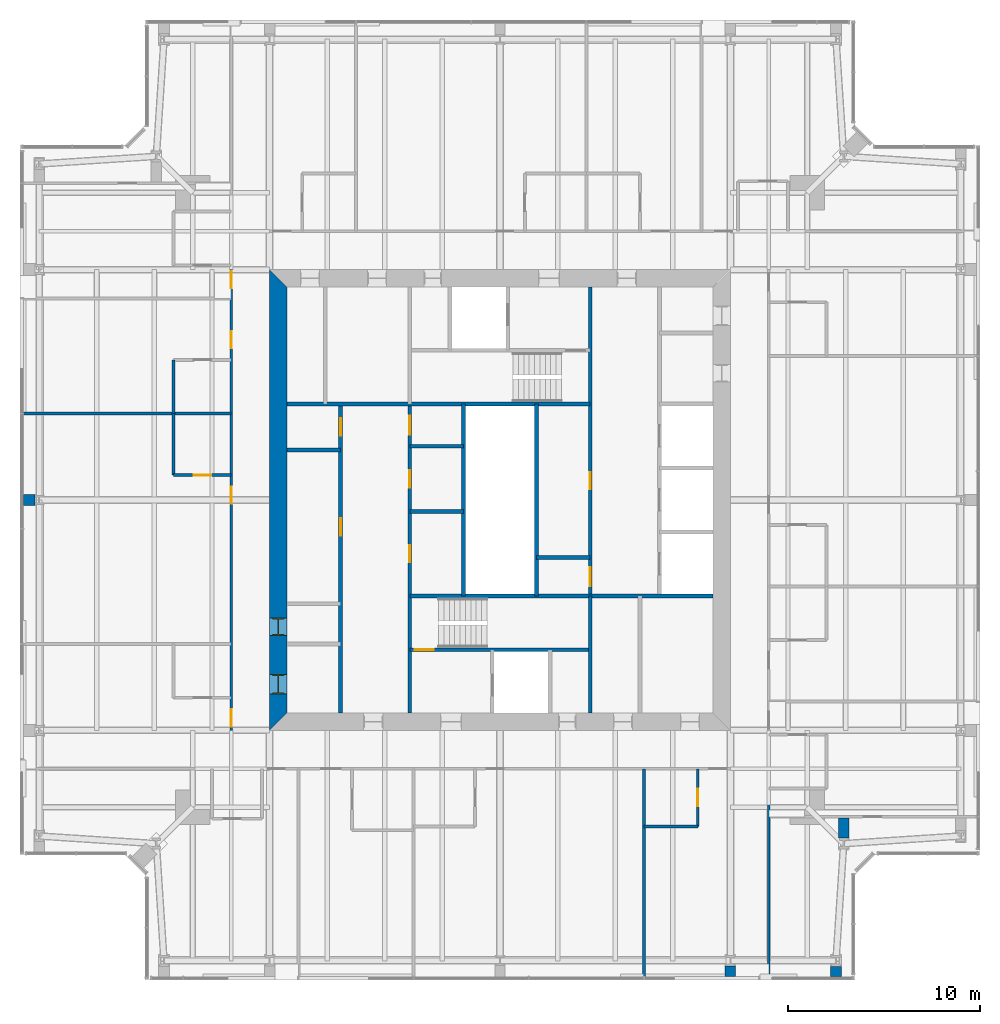
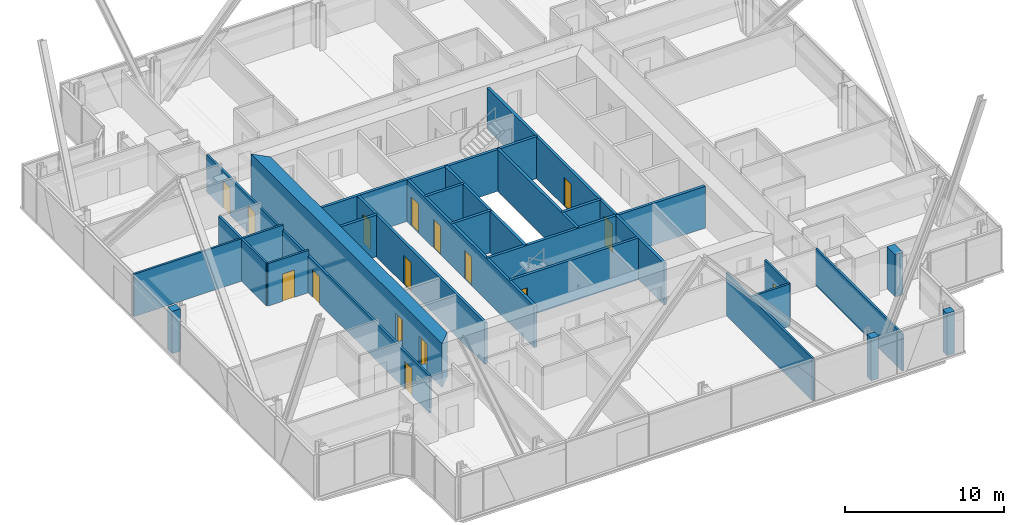
# One storey, part 12 of 18: 27 walls, 16 doors, 16 openings.
"""IFC4 building model written with IfcOpenShell, lengths in metres."""

import ifcopenshell
import ifcopenshell.guid

model = None  # the IFC model being written
_history = None  # IfcOwnerHistory: only IFC2X3 demands one
_inside = {}  # id of a spatial element -> (the spatial element, [elements in it])
_under = {}  # id of a project, library or spatial element -> (it, [spatial elements below it])
_declared = {}  # id of a project -> (the project, [libraries it declares])
_typed = {}  # id of a type object -> (the type object, [elements of that type])
_made_of = {}  # id of a material, layer set ... -> (it, [elements and type objects made of it])


def new_model(schema):
    """Start an empty IFC model of exactly this schema.

    Asked for "IFC4X3", IfcOpenShell would pick the latest addendum, in which some entities
    have other attributes; the version numbers below select the first issue.
    IFC2X3 requires an IfcOwnerHistory on every rooted entity: one is made here for all.
    """
    global model, _history
    if schema == "IFC4X3":
        model = ifcopenshell.file(schema_version=(4, 3, 0, 0))
    else:
        model = ifcopenshell.file(schema=schema)
    _inside.clear()
    _under.clear()
    _declared.clear()
    _typed.clear()
    _made_of.clear()
    _history = None
    if model.schema == "IFC2X3":
        org = make("IfcOrganization", Name="unknown")
        user = make(
            "IfcPersonAndOrganization",
            ThePerson=make("IfcPerson", FamilyName="unknown"),
            TheOrganization=org,
        )
        app = make(
            "IfcApplication",
            ApplicationDeveloper=org,
            Version="unknown",
            ApplicationFullName="unknown",
            ApplicationIdentifier="unknown",
        )
        _history = make(
            "IfcOwnerHistory",
            OwningUser=user,
            OwningApplication=app,
            ChangeAction="ADDED",
            CreationDate=0,
        )
    return model


def make(cls, **values):
    """One entity of the class cls with the attributes given. An attribute that is None is left unset."""
    return model.create_entity(
        cls, **{name: value for name, value in values.items() if value is not None}
    )


def rooted(cls, **values):
    """An entity with a GlobalId (a new one), such as an element, a storey or a relation."""
    return make(cls, GlobalId=ifcopenshell.guid.new(), OwnerHistory=_history, **values)


def si_unit(unit_type, name, prefix=None):
    """IfcSIUnit, for example si_unit("LENGTHUNIT", "METRE", prefix="MILLI")."""
    return make("IfcSIUnit", UnitType=unit_type, Prefix=prefix, Name=name)


def assignment(units):
    """IfcUnitAssignment: the units of a project."""
    return None if units is None else make("IfcUnitAssignment", Units=units)


def point(xyz):
    """IfcCartesianPoint."""
    return None if xyz is None else make("IfcCartesianPoint", Coordinates=xyz)


def direction(xyz):
    """IfcDirection."""
    return None if xyz is None else make("IfcDirection", DirectionRatios=xyz)


def frame(location, z_axis=None, x_axis=None):
    """IfcAxis2Placement3D, a coordinate frame: its origin and axes. An axis left out is left unset."""
    return make(
        "IfcAxis2Placement3D",
        Location=point(location),
        Axis=direction(z_axis),
        RefDirection=direction(x_axis),
    )


def frame_2d(location, x_axis=None):
    """IfcAxis2Placement2D, a coordinate frame in the plane: its origin and x axis."""
    return make(
        "IfcAxis2Placement2D", Location=point(location), RefDirection=direction(x_axis)
    )


def origin():
    """The frame at (0, 0, 0) with its axes left unset."""
    return frame((0.0, 0.0, 0.0))


def place(relative_to, where):
    """IfcLocalPlacement: puts the frame where relative to a parent placement (None: the world)."""
    return make(
        "IfcLocalPlacement", PlacementRelTo=relative_to, RelativePlacement=where
    )


def context(
    kind, dimensions, precision=None, world=None, true_north=None, identifier=None
):
    """IfcGeometricRepresentationContext, for example the 3D "Model" context."""
    return make(
        "IfcGeometricRepresentationContext",
        ContextIdentifier=identifier,
        ContextType=kind,
        CoordinateSpaceDimension=dimensions,
        Precision=precision,
        WorldCoordinateSystem=world,
        TrueNorth=true_north,
    )


def subcontext(parent, identifier, kind, view, scale=None):
    """IfcGeometricRepresentationSubContext, for example "Body" below "Model"."""
    return make(
        "IfcGeometricRepresentationSubContext",
        ContextIdentifier=identifier,
        ContextType=kind,
        ParentContext=parent,
        TargetScale=scale,
        TargetView=view,
    )


def project(units=None, contexts=None):
    """IfcProject with its units and contexts."""
    return rooted(
        "IfcProject",
        Name="project",
        RepresentationContexts=contexts,
        UnitsInContext=assignment(units),
    )


def spatial(cls, under=None, at=None, **own):
    """A site, building, storey or space (cls), placed at a placement, below another one or the project."""
    s = rooted(cls, ObjectPlacement=at, **own)
    if under is not None:
        _under.setdefault(under.id(), (under, []))[1].append(s)
    return s


def polyline(points):
    """IfcPolyline through the points."""
    return make("IfcPolyline", Points=[point(p) for p in points])


def profile(cls, at=None, kind="AREA", **sizes):
    """A parametric profile (cls). Its sizes go by their IFC names, for example OverallWidth=200.0."""
    return make(cls, ProfileType=kind, Position=at, **sizes)


def rectangle(**sizes):
    """IfcRectangleProfileDef."""
    return profile("IfcRectangleProfileDef", **sizes)


def outline(outer, holes=None, kind="AREA"):
    """IfcArbitraryClosedProfileDef: a profile drawn as a closed curve; with holes, ...WithVoids."""
    if holes is None:
        return make("IfcArbitraryClosedProfileDef", ProfileType=kind, OuterCurve=outer)
    return make(
        "IfcArbitraryProfileDefWithVoids",
        ProfileType=kind,
        OuterCurve=outer,
        InnerCurves=holes,
    )


def extrude(swept, where, along, depth):
    """IfcExtrudedAreaSolid: the profile swept, set in the frame where, extruded along a direction by depth."""
    return make(
        "IfcExtrudedAreaSolid",
        SweptArea=swept,
        Position=where,
        ExtrudedDirection=direction(along),
        Depth=depth,
    )


def shape(context_of_items, identifier, shape_type, items):
    """IfcShapeRepresentation: the items that make up one representation, for example the "Body"."""
    return make(
        "IfcShapeRepresentation",
        ContextOfItems=context_of_items,
        RepresentationIdentifier=identifier,
        RepresentationType=shape_type,
        Items=items,
    )


def material(Name=None, Category=None):
    """IfcMaterial."""
    return make("IfcMaterial", Name=Name, Category=Category)


def layer(
    of_material, thickness, ventilated=None, Name=None, Category=None, Priority=None
):
    """IfcMaterialLayer: one layer of a wall or slab, of a material (None: an air gap)."""
    return make(
        "IfcMaterialLayer",
        Material=of_material,
        LayerThickness=thickness,
        IsVentilated=ventilated,
        Name=Name,
        Category=Category,
        Priority=Priority,
    )


def layer_set(layers, Name=None):
    """IfcMaterialLayerSet."""
    return make("IfcMaterialLayerSet", MaterialLayers=layers, LayerSetName=Name)


def made_of(thing, what):
    """Note that an element or type object is made of a material, layer set ...; save() writes the relation."""
    if what is not None:
        _made_of.setdefault(what.id(), (what, []))[1].append(thing)
    return thing


def type_object(cls, material=None, **own):
    """A type object (cls), such as IfcWallType, which elements share."""
    return made_of(rooted(cls, **own), material)


def element(
    cls,
    number,
    at=None,
    inside=None,
    cuts=None,
    type_object=None,
    material=None,
    context=None,
    identifier="Body",
    shape_type=None,
    held_by="IfcProductDefinitionShape",
    body=None,
    shapes=None,
    **own,
):
    """One element of the class cls, such as IfcWall. Its Tag is "e" and its number.

    at: its placement. inside: the storey or other place that contains it. cuts: it is an
    opening in that element (IfcRelVoidsElement). A single representation is given by context,
    identifier, shape_type and body (its items); several are given by shapes. held_by: the class
    of the entity that holds the representations. save() writes the other relations.
    """
    e = rooted(cls, Tag="e%d" % number, ObjectPlacement=at, **own)
    if body is not None:
        shapes = [shape(context, identifier, shape_type, body)]
    if shapes is not None:
        e.Representation = make(held_by, Representations=shapes)
    if inside is not None:
        _inside.setdefault(inside.id(), (inside, []))[1].append(e)
    if cuts is not None:
        rooted(
            "IfcRelVoidsElement", RelatingBuildingElement=cuts, RelatedOpeningElement=e
        )
    if type_object is not None:
        _typed.setdefault(type_object.id(), (type_object, []))[1].append(e)
    return made_of(e, material)


def fill(opening, filler):
    """IfcRelFillsElement: the door or window that sits in an opening."""
    return rooted(
        "IfcRelFillsElement",
        RelatingOpeningElement=opening,
        RelatedBuildingElement=filler,
    )


def aggregate(whole, parts):
    """IfcRelAggregates: a whole, such as a stair, and the parts it consists of."""
    return rooted("IfcRelAggregates", RelatingObject=whole, RelatedObjects=parts)


def save(model, path):
    """Write the relations noted so far, then the file.

    IfcRelAggregates (storeys below a building ...), IfcRelContainedInSpatialStructure (elements
    in a storey), IfcRelDefinesByType, IfcRelAssociatesMaterial and IfcRelDeclares: one each for
    every whole, place, type object, material and project.
    """
    for whole, parts in _under.values():
        aggregate(whole, parts)
    for where, things in _inside.values():
        rooted(
            "IfcRelContainedInSpatialStructure",
            RelatedElements=things,
            RelatingStructure=where,
        )
    for kind, things in _typed.values():
        rooted("IfcRelDefinesByType", RelatedObjects=things, RelatingType=kind)
    for what, things in _made_of.values():
        rooted("IfcRelAssociatesMaterial", RelatedObjects=things, RelatingMaterial=what)
    for by, libraries in _declared.values():
        rooted("IfcRelDeclares", RelatingContext=by, RelatedDefinitions=libraries)
    model.write(path)


model = new_model("IFC4")

# Units and contexts
model_context = context("Model", 3, precision=1e-05, world=origin(), true_north=direction((0.0, 1.0)))
body_context = subcontext(model_context, "Body", "Model", "MODEL_VIEW")
ifc_project = project(units=[si_unit("LENGTHUNIT", "METRE"), si_unit("AREAUNIT", "SQUARE_METRE"), si_unit("VOLUMEUNIT", "CUBIC_METRE"), si_unit("PLANEANGLEUNIT", "RADIAN"), si_unit("MASSUNIT", "GRAM", prefix="KILO")], contexts=[model_context])

# Site, building, storey
site_placement = place(None, origin())
site = spatial("IfcSite", under=ifc_project, at=site_placement, CompositionType="ELEMENT")
building_placement = place(site_placement, origin())
building = spatial("IfcBuilding", under=site, at=building_placement, Name="Fenwick Lantern Interchange", CompositionType="ELEMENT")
storey_placement = place(building_placement, frame((0.0, 0.0, 269.60009765625)))
storey = spatial("IfcBuildingStorey", under=building, at=storey_placement, Name="L64", CompositionType="ELEMENT", Elevation=269.60009765625)

# Walls
ifc_material_1 = material(Name="Fire-rated gypsum board encasement on steel studs, 2 hour", Category="steel")
ifc_layer_1 = layer(ifc_material_1, 0.5419921875)
ifc_layer_set_1 = layer_set([ifc_layer_1], Name="COLUMN PIER 542")
wall_type_1 = type_object("IfcWallType", Name="COLUMN PIER 542", PredefinedType="PARTITIONING", material=ifc_layer_set_1)
wall_1_placement = place(storey_placement, frame((37.0, 0.18994140625, 0.0), z_axis=(0.0, 0.0, 1.0), x_axis=(0.0, 1.0, 0.0)))
element("IfcWall", 1, at=wall_1_placement, inside=storey, type_object=wall_type_1, Name="L64/W/PIER/CS4", PredefinedType="PARTITIONING", context=body_context, shape_type="SweptSolid", body=[
    extrude(rectangle(XDim=0.544677734375, YDim=0.5419921875, at=frame_2d((0.2724609375, 0.0))), origin(), (0.0, 0.0, 1.0), 3.25),
])
ifc_layer_2 = layer(ifc_material_1, 0.554931640625)
ifc_layer_set_2 = layer_set([ifc_layer_2], Name="COLUMN PIER 555")
wall_type_2 = type_object("IfcWallType", Name="COLUMN PIER 555", PredefinedType="PARTITIONING", material=ifc_layer_set_2)
wall_2_placement = place(storey_placement, frame((42.5, 0.18994140625, 0.0), z_axis=(0.0, 0.0, 1.0), x_axis=(0.0, 1.0, 0.0)))
element("IfcWall", 2, at=wall_2_placement, inside=storey, type_object=wall_type_2, Name="L64/W/PIER/CS5", PredefinedType="PARTITIONING", context=body_context, shape_type="SweptSolid", body=[
    extrude(rectangle(XDim=0.525634765625, YDim=0.554931640625, at=frame_2d((0.2626953125, 0.0))), origin(), (0.0, 0.0, 1.0), 3.25),
])
wall_3_placement = place(storey_placement, frame((42.89990234375, 8.425048828125, 0.0), z_axis=(0.0, 0.0, 1.0), x_axis=(0.0, -1.0, 0.0)))
element("IfcWall", 3, at=wall_3_placement, inside=storey, type_object=wall_type_2, Name="L64/W/PIER/CSR", PredefinedType="PARTITIONING", context=body_context, shape_type="SweptSolid", body=[
    extrude(rectangle(XDim=1.04052734375, YDim=0.554931640625, at=frame_2d((0.520263671875, 0.0))), origin(), (0.0, 0.0, 1.0), 3.25),
])
ifc_layer_3 = layer(ifc_material_1, 0.574951171875)
ifc_layer_set_3 = layer_set([ifc_layer_3], Name="COLUMN PIER 575")
wall_type_3 = type_object("IfcWallType", Name="COLUMN PIER 575", PredefinedType="PARTITIONING", material=ifc_layer_set_3)
wall_4_placement = place(storey_placement, frame((0.18994140625, 25.0, 0.0), z_axis=(0.0, 0.0, 1.0), x_axis=(1.0, 0.0, 0.0)))
element("IfcWall", 4, at=wall_4_placement, inside=storey, type_object=wall_type_3, Name="L64/W/PIER/CW3", PredefinedType="PARTITIONING", context=body_context, shape_type="SweptSolid", body=[
    extrude(rectangle(XDim=0.597900390625, YDim=0.574951171875, at=frame_2d((0.298828125, 0.0))), origin(), (0.0, 0.0, 1.0), 3.25),
])

# Wall, openings, doors
ifc_material_2 = material(Name="Concrete masonry ASTM C90 Grade N", Category="masonry")
ifc_layer_4 = layer(ifc_material_2, 0.199951171875)
ifc_layer_set_4 = layer_set([ifc_layer_4], Name="Concrete masonry ASTM C90 Grade N")
wall_type_4 = type_object("IfcWallType", Name="CORE PARTITION 200", PredefinedType="PARTITIONING", material=ifc_layer_set_4)
wall_5_placement = place(storey_placement, frame((16.699951171875, 13.89990234375, 0.0), z_axis=(0.0, 0.0, 1.0), x_axis=(0.0, 1.0, 0.0)))
wall_5 = element("IfcWall", 5, at=wall_5_placement, inside=storey, type_object=wall_type_4, Name="L64/W/CORES/a", PredefinedType="PARTITIONING", context=body_context, shape_type="SweptSolid", body=[
    extrude(rectangle(XDim=16.10009765625, YDim=0.199951171875, at=frame_2d((8.050048828125, 0.0))), origin(), (0.0, 0.0, 1.0), 3.199951171875),
])
opening_1_placement = place(wall_5_placement, frame((9.25, 0.0, 0.0)))
opening_1 = element("IfcOpeningElement", 6, at=opening_1_placement, cuts=wall_5, Name="Opening L64-D009", PredefinedType="OPENING", context=body_context, shape_type="SweptSolid", body=[
    extrude(rectangle(XDim=0.89990234375, YDim=2.199951171875, at=frame_2d((0.449951171875, 1.10009765625))), frame((0.0, 0.10986328125, 0.0), z_axis=(0.0, -1.0, 0.0), x_axis=(1.0, 0.0, 0.0)), (0.0, 0.0, 1.0), 0.219970703125),
])
opening_2_placement = place(wall_5_placement, frame((14.449951171875, 0.0, 0.0)))
opening_2 = element("IfcOpeningElement", 7, at=opening_2_placement, cuts=wall_5, Name="Opening L64-D010", PredefinedType="OPENING", context=body_context, shape_type="SweptSolid", body=[
    extrude(rectangle(XDim=0.89990234375, YDim=2.199951171875, at=frame_2d((0.449951171875, 1.10009765625))), frame((0.0, 0.10986328125, 0.0), z_axis=(0.0, -1.0, 0.0), x_axis=(1.0, 0.0, 0.0)), (0.0, 0.0, 1.0), 0.219970703125),
])
ifc_material_3 = material(Name="Steel door and frame", Category="steel")
door_type_1 = type_object("IfcDoorType", Name="SERVICE DOOR 900 X 2200", OperationType="SINGLE_SWING_LEFT", PredefinedType="DOOR", material=ifc_material_3)
door_1_placement = place(opening_1_placement, origin())
door_1 = element("IfcDoor", 8, at=door_1_placement, inside=storey, type_object=door_type_1, Name="Service door", OperationType="SINGLE_SWING_LEFT", OverallHeight=2.199951171875, OverallWidth=0.89990234375, PredefinedType="DOOR", context=body_context, shape_type="SweptSolid", body=[
    extrude(rectangle(XDim=0.89990234375, YDim=2.199951171875, at=frame_2d((0.449951171875, 1.10009765625))), frame((0.0, 0.02490234375, 0.0), z_axis=(0.0, -1.0, 0.0), x_axis=(1.0, 0.0, 0.0)), (0.0, 0.0, 1.0), 0.050048828125),
])
fill(opening_1, door_1)
door_2_placement = place(opening_2_placement, origin())
door_2 = element("IfcDoor", 9, at=door_2_placement, inside=storey, type_object=door_type_1, Name="Service door", OperationType="SINGLE_SWING_LEFT", OverallHeight=2.199951171875, OverallWidth=0.89990234375, PredefinedType="DOOR", context=body_context, shape_type="SweptSolid", body=[
    extrude(rectangle(XDim=0.89990234375, YDim=2.199951171875, at=frame_2d((0.449951171875, 1.10009765625))), frame((0.0, 0.02490234375, 0.0), z_axis=(0.0, -1.0, 0.0), x_axis=(1.0, 0.0, 0.0)), (0.0, 0.0, 1.0), 0.050048828125),
])
fill(opening_2, door_2)

# Walls
wall_6_placement = place(storey_placement, frame((23.10009765625, 20.0, 0.0), z_axis=(0.0, 0.0, 1.0), x_axis=(0.0, 1.0, 0.0)))
element("IfcWall", 10, at=wall_6_placement, inside=storey, type_object=wall_type_4, Name="L64/W/CORES/e3", PredefinedType="PARTITIONING", context=body_context, shape_type="SweptSolid", body=[
    extrude(rectangle(XDim=10.0, YDim=0.199951171875, at=frame_2d((5.0, 0.0))), origin(), (0.0, 0.0, 1.0), 3.199951171875),
])
for number, where, z_axis, x_axis, name in (
    (11, (13.89990234375, 27.60009765625, 0.0), (0.0, 0.0, 1.0), (1.0, 0.0, 0.0), "L64/W/CORES/p3"),
    (12, (20.300048828125, 24.39990234375, 0.0), (0.0, 0.0, 1.0), (1.0, 0.0, 0.0), "L64/W/CORES/q1"),
    (13, (20.300048828125, 27.800048828125, 0.0), (0.0, 0.0, 1.0), (1.0, 0.0, 0.0), "L64/W/CORES/q2"),
):
    element("IfcWall", number, at=place(storey_placement, frame(where, z_axis=z_axis, x_axis=x_axis)), inside=storey, type_object=wall_type_4, Name=name, PredefinedType="PARTITIONING", context=body_context, shape_type="SweptSolid", body=[
        extrude(rectangle(XDim=2.800048828125, YDim=0.199951171875, at=frame_2d((1.39990234375, 0.0))), origin(), (0.0, 0.0, 1.0), 3.199951171875),
    ])
wall_7_placement = place(storey_placement, frame((26.89990234375, 30.0, 0.0), z_axis=(0.0, 0.0, 1.0), x_axis=(0.0, -1.0, 0.0)))
element("IfcWall", 14, at=wall_7_placement, inside=storey, type_object=wall_type_4, Name="L64/W/COREN/e3", PredefinedType="PARTITIONING", context=body_context, shape_type="SweptSolid", body=[
    extrude(rectangle(XDim=10.0, YDim=0.199951171875, at=frame_2d((5.0, 0.0))), origin(), (0.0, 0.0, 1.0), 3.199951171875),
])
wall_8_placement = place(storey_placement, frame((29.699951171875, 22.0, 0.0), z_axis=(0.0, 0.0, 1.0), x_axis=(-1.0, 0.0, 0.0)))
element("IfcWall", 15, at=wall_8_placement, inside=storey, type_object=wall_type_4, Name="L64/W/COREN/q1", PredefinedType="PARTITIONING", context=body_context, shape_type="SweptSolid", body=[
    extrude(rectangle(XDim=2.800048828125, YDim=0.199951171875, at=frame_2d((1.39990234375, 0.0))), origin(), (0.0, 0.0, 1.0), 3.199951171875),
])

# Wall, openings, doors
ifc_material_4 = material(Name="Concrete f'c 70 MPa", Category="concrete")
ifc_layer_5 = layer(ifc_material_4, 0.89990234375)
ifc_layer_set_5 = layer_set([ifc_layer_5], Name="CORE WALL 900")
wall_type_5 = type_object("IfcWallType", Name="CORE WALL 900", PredefinedType="SHEAR", material=ifc_layer_set_5)
wall_9_placement = place(storey_placement, frame((13.449951171875, 36.10009765625, 0.0), z_axis=(0.0, 0.0, 1.0), x_axis=(0.0, -1.0, 0.0)))
wall_9 = element("IfcWall", 16, at=wall_9_placement, inside=storey, type_object=wall_type_5, Name="L64/CORE/W", PredefinedType="SHEAR", context=body_context, shape_type="SweptSolid", body=[
    extrude(outline(polyline([(-0.89990234375, -0.449951171875), (23.10009765625, -0.449951171875), (22.199951171875, 0.449951171875), (0.0, 0.449951171875), (-0.89990234375, -0.449951171875)])), origin(), (0.0, 0.0, 1.0), 3.39990234375),
])
opening_3_placement = place(wall_9_placement, frame((20.199951171875, 0.0, 0.0)))
opening_3 = element("IfcOpeningElement", 17, at=opening_3_placement, cuts=wall_9, Name="Opening L64-D007", PredefinedType="OPENING", context=body_context, shape_type="SweptSolid", body=[
    extrude(rectangle(XDim=1.0, YDim=2.199951171875, at=frame_2d((0.5, 1.10009765625))), frame((0.0, 0.4599609375, 0.0), z_axis=(0.0, -1.0, 0.0), x_axis=(1.0, 0.0, 0.0)), (0.0, 0.0, 1.0), 0.919921875),
])
opening_4_placement = place(wall_9_placement, frame((17.25, 0.0, 0.0)))
opening_4 = element("IfcOpeningElement", 18, at=opening_4_placement, cuts=wall_9, Name="Opening L64-D008", PredefinedType="OPENING", context=body_context, shape_type="SweptSolid", body=[
    extrude(rectangle(XDim=0.89990234375, YDim=2.199951171875, at=frame_2d((0.449951171875, 1.10009765625))), frame((0.0, 0.4599609375, 0.0), z_axis=(0.0, -1.0, 0.0), x_axis=(1.0, 0.0, 0.0)), (0.0, 0.0, 1.0), 0.919921875),
])
door_3_placement = place(opening_4_placement, origin())
door_3 = element("IfcDoor", 19, at=door_3_placement, inside=storey, type_object=door_type_1, Name="Service door", OperationType="SINGLE_SWING_RIGHT", OverallHeight=2.199951171875, OverallWidth=0.89990234375, PredefinedType="DOOR", context=body_context, shape_type="SweptSolid", body=[
    extrude(rectangle(XDim=0.89990234375, YDim=2.199951171875, at=frame_2d((0.449951171875, 1.10009765625))), frame((0.0, 0.02490234375, 0.0), z_axis=(0.0, -1.0, 0.0), x_axis=(1.0, 0.0, 0.0)), (0.0, 0.0, 1.0), 0.050048828125),
    extrude(outline(polyline([(0.0, 0.0), (0.0400390625, 0.0), (0.0400390625, 2.159912109375), (0.85986328125, 2.159912109375), (0.85986328125, 0.0), (0.89990234375, 0.0), (0.89990234375, 2.199951171875), (0.0, 2.199951171875), (0.0, 0.0)])), frame((0.0, 0.300048828125, 0.0), z_axis=(0.0, -1.0, 0.0), x_axis=(1.0, 0.0, 0.0)), (0.0, 0.0, 1.0), 0.60009765625),
])
fill(opening_4, door_3)
ifc_material_5 = material(Name="Hardwood door and steel frame", Category="steel")
door_type_2 = type_object("IfcDoorType", Name="WC DOOR 1000 X 2200", OperationType="SINGLE_SWING_LEFT", PredefinedType="DOOR", material=ifc_material_5)
door_4_placement = place(opening_3_placement, origin())
door_4 = element("IfcDoor", 20, at=door_4_placement, inside=storey, type_object=door_type_2, Name="Wc door", OperationType="SINGLE_SWING_RIGHT", OverallHeight=2.199951171875, OverallWidth=1.0, PredefinedType="DOOR", context=body_context, shape_type="SweptSolid", body=[
    extrude(rectangle(XDim=1.0, YDim=2.199951171875, at=frame_2d((0.5, 1.10009765625))), frame((0.0, 0.02490234375, 0.0), z_axis=(0.0, -1.0, 0.0), x_axis=(1.0, 0.0, 0.0)), (0.0, 0.0, 1.0), 0.050048828125),
    extrude(outline(polyline([(0.0, 0.0), (0.0400390625, 0.0), (0.0400390625, 2.159912109375), (0.9599609375, 2.159912109375), (0.9599609375, 0.0), (1.0, 0.0), (1.0, 2.199951171875), (0.0, 2.199951171875), (0.0, 0.0)])), frame((0.0, 0.300048828125, 0.0), z_axis=(0.0, -1.0, 0.0), x_axis=(1.0, 0.0, 0.0)), (0.0, 0.0, 1.0), 0.60009765625),
])
fill(opening_3, door_4)

ifc_material_6 = material(Name="Gypsum board on steel studs, 1 hour", Category="steel")
ifc_layer_6 = layer(ifc_material_6, 0.14990234375)
ifc_layer_set_6 = layer_set([ifc_layer_6], Name="CORRIDOR WALL 150")
wall_type_6 = type_object("IfcWallType", Name="CORRIDOR WALL 150", PredefinedType="PARTITIONING", material=ifc_layer_set_6)
wall_10_placement = place(storey_placement, frame((11.0, 39.0, 0.0), z_axis=(0.0, 0.0, 1.0), x_axis=(0.0, -1.0, 0.0)))
wall_10 = element("IfcWall", 21, at=wall_10_placement, inside=storey, type_object=wall_type_6, Name="L64/W/HOTEL/W/CW", PredefinedType="PARTITIONING", context=body_context, shape_type="SweptSolid", body=[
    extrude(rectangle(XDim=28.0, YDim=0.14990234375, at=frame_2d((14.0, 0.0))), origin(), (0.0, 0.0, 1.0), 2.843505859375),
])
opening_5_placement = place(wall_10_placement, frame((2.074951171875, 0.0, 0.0)))
opening_5 = element("IfcOpeningElement", 22, at=opening_5_placement, cuts=wall_10, Name="Opening L64-D051", PredefinedType="OPENING", context=body_context, shape_type="SweptSolid", body=[
    extrude(rectangle(XDim=0.89990234375, YDim=2.10009765625, at=frame_2d((0.449951171875, 1.050048828125))), frame((0.0, 0.0849609375, 0.0), z_axis=(0.0, -1.0, 0.0), x_axis=(1.0, 0.0, 0.0)), (0.0, 0.0, 1.0), 0.169921875),
])
opening_6_placement = place(wall_10_placement, frame((5.199951171875, 0.0, 0.0)))
opening_6 = element("IfcOpeningElement", 23, at=opening_6_placement, cuts=wall_10, Name="Opening L64-D053", PredefinedType="OPENING", context=body_context, shape_type="SweptSolid", body=[
    extrude(rectangle(XDim=0.89990234375, YDim=2.10009765625, at=frame_2d((0.449951171875, 1.050048828125))), frame((0.0, 0.0849609375, 0.0), z_axis=(0.0, -1.0, 0.0), x_axis=(1.0, 0.0, 0.0)), (0.0, 0.0, 1.0), 0.169921875),
])
opening_7_placement = place(wall_10_placement, frame((13.300048828125, 0.0, 0.0)))
opening_7 = element("IfcOpeningElement", 24, at=opening_7_placement, cuts=wall_10, Name="Opening L64-D055", PredefinedType="OPENING", context=body_context, shape_type="SweptSolid", body=[
    extrude(rectangle(XDim=0.89990234375, YDim=2.10009765625, at=frame_2d((0.449951171875, 1.050048828125))), frame((0.0, 0.0849609375, 0.0), z_axis=(0.0, -1.0, 0.0), x_axis=(1.0, 0.0, 0.0)), (0.0, 0.0, 1.0), 0.169921875),
])
opening_8_placement = place(wall_10_placement, frame((24.89990234375, 0.0, 0.0)))
opening_8 = element("IfcOpeningElement", 25, at=opening_8_placement, cuts=wall_10, Name="Opening L64-D057", PredefinedType="OPENING", context=body_context, shape_type="SweptSolid", body=[
    extrude(rectangle(XDim=0.89990234375, YDim=2.10009765625, at=frame_2d((0.449951171875, 1.050048828125))), frame((0.0, 0.0849609375, 0.0), z_axis=(0.0, -1.0, 0.0), x_axis=(1.0, 0.0, 0.0)), (0.0, 0.0, 1.0), 0.169921875),
])
door_type_3 = type_object("IfcDoorType", Name="GUEST ROOM DOOR 900 X 2100", OperationType="SINGLE_SWING_LEFT", PredefinedType="DOOR", material=ifc_material_3)
door_5_placement = place(opening_5_placement, frame((0.89990234375, 0.0, 0.0), z_axis=(0.0, 0.0, 1.0), x_axis=(-1.0, 0.0, 0.0)))
door_5 = element("IfcDoor", 26, at=door_5_placement, inside=storey, type_object=door_type_3, Name="Guest room door", OperationType="SINGLE_SWING_RIGHT", OverallHeight=2.10009765625, OverallWidth=0.89990234375, PredefinedType="DOOR", context=body_context, shape_type="SweptSolid", body=[
    extrude(rectangle(XDim=0.89990234375, YDim=2.10009765625, at=frame_2d((0.449951171875, 1.050048828125))), frame((0.0, 0.02490234375, 0.0), z_axis=(0.0, -1.0, 0.0), x_axis=(1.0, 0.0, 0.0)), (0.0, 0.0, 1.0), 0.050048828125),
])
fill(opening_5, door_5)
door_6_placement = place(opening_6_placement, frame((0.89990234375, 0.0, 0.0), z_axis=(0.0, 0.0, 1.0), x_axis=(-1.0, 0.0, 0.0)))
door_6 = element("IfcDoor", 27, at=door_6_placement, inside=storey, type_object=door_type_3, Name="Guest room door", OperationType="SINGLE_SWING_LEFT", OverallHeight=2.10009765625, OverallWidth=0.89990234375, PredefinedType="DOOR", context=body_context, shape_type="SweptSolid", body=[
    extrude(rectangle(XDim=0.89990234375, YDim=2.10009765625, at=frame_2d((0.449951171875, 1.050048828125))), frame((0.0, 0.02490234375, 0.0), z_axis=(0.0, -1.0, 0.0), x_axis=(1.0, 0.0, 0.0)), (0.0, 0.0, 1.0), 0.050048828125),
])
fill(opening_6, door_6)
door_7_placement = place(opening_7_placement, frame((0.89990234375, 0.0, 0.0), z_axis=(0.0, 0.0, 1.0), x_axis=(-1.0, 0.0, 0.0)))
door_7 = element("IfcDoor", 28, at=door_7_placement, inside=storey, type_object=door_type_3, Name="Guest room door", OperationType="SINGLE_SWING_RIGHT", OverallHeight=2.10009765625, OverallWidth=0.89990234375, PredefinedType="DOOR", context=body_context, shape_type="SweptSolid", body=[
    extrude(rectangle(XDim=0.89990234375, YDim=2.10009765625, at=frame_2d((0.449951171875, 1.050048828125))), frame((0.0, 0.02490234375, 0.0), z_axis=(0.0, -1.0, 0.0), x_axis=(1.0, 0.0, 0.0)), (0.0, 0.0, 1.0), 0.050048828125),
])
fill(opening_7, door_7)
door_8_placement = place(opening_8_placement, frame((0.89990234375, 0.0, 0.0), z_axis=(0.0, 0.0, 1.0), x_axis=(-1.0, 0.0, 0.0)))
door_8 = element("IfcDoor", 29, at=door_8_placement, inside=storey, type_object=door_type_3, Name="Guest room door", OperationType="SINGLE_SWING_RIGHT", OverallHeight=2.10009765625, OverallWidth=0.89990234375, PredefinedType="DOOR", context=body_context, shape_type="SweptSolid", body=[
    extrude(rectangle(XDim=0.89990234375, YDim=2.10009765625, at=frame_2d((0.449951171875, 1.050048828125))), frame((0.0, 0.02490234375, 0.0), z_axis=(0.0, -1.0, 0.0), x_axis=(1.0, 0.0, 0.0)), (0.0, 0.0, 1.0), 0.050048828125),
])
fill(opening_8, door_8)

# Wall
ifc_material_7 = material(Name="Gypsum board on steel studs, moisture resistant", Category="steel")
ifc_layer_7 = layer(ifc_material_7, 0.14990234375)
ifc_layer_set_7 = layer_set([ifc_layer_7], Name="EN-SUITE WALL 150")
wall_type_7 = type_object("IfcWallType", Name="EN-SUITE WALL 150", PredefinedType="PARTITIONING", material=ifc_layer_set_7)
wall_11_placement = place(storey_placement, frame((32.5, 8.0, 0.0), z_axis=(0.0, 0.0, 1.0), x_axis=(1.0, 0.0, 0.0)))
element("IfcWall", 30, at=wall_11_placement, inside=storey, type_object=wall_type_7, Name="L64/W/HOTEL/S/U4BW", PredefinedType="PARTITIONING", context=body_context, shape_type="SweptSolid", body=[
    extrude(rectangle(XDim=2.800048828125, YDim=0.14990234375, at=frame_2d((1.39990234375, 0.0))), origin(), (0.0, 0.0, 1.0), 3.25),
])

# Wall, opening, door
wall_12_placement = place(storey_placement, frame((35.300048828125, 8.0, 0.0), z_axis=(0.0, 0.0, 1.0), x_axis=(0.0, 1.0, 0.0)))
wall_12 = element("IfcWall", 31, at=wall_12_placement, inside=storey, type_object=wall_type_7, Name="L64/W/HOTEL/S/U4BX", PredefinedType="PARTITIONING", context=body_context, shape_type="SweptSolid", body=[
    extrude(rectangle(XDim=3.0, YDim=0.14990234375, at=frame_2d((1.5, 0.0))), origin(), (0.0, 0.0, 1.0), 3.25),
])
opening_9_placement = place(wall_12_placement, frame((1.050048828125, 0.0, 0.0)))
opening_9 = element("IfcOpeningElement", 32, at=opening_9_placement, cuts=wall_12, Name="Opening L64-D030", PredefinedType="OPENING", context=body_context, shape_type="SweptSolid", body=[
    extrude(rectangle(XDim=0.89990234375, YDim=2.10009765625, at=frame_2d((0.449951171875, 1.050048828125))), frame((0.0, 0.0849609375, 0.0), z_axis=(0.0, -1.0, 0.0), x_axis=(1.0, 0.0, 0.0)), (0.0, 0.0, 1.0), 0.169921875),
])
door_type_4 = type_object("IfcDoorType", Name="EN-SUITE DOOR 900 X 2100", OperationType="SINGLE_SWING_LEFT", PredefinedType="DOOR", material=ifc_material_5)
door_9_placement = place(opening_9_placement, origin())
door_9 = element("IfcDoor", 33, at=door_9_placement, inside=storey, type_object=door_type_4, Name="En-suite door", OperationType="SINGLE_SWING_LEFT", OverallHeight=2.10009765625, OverallWidth=0.89990234375, PredefinedType="DOOR", context=body_context, shape_type="SweptSolid", body=[
    extrude(rectangle(XDim=0.89990234375, YDim=2.10009765625, at=frame_2d((0.449951171875, 1.050048828125))), frame((0.0, 0.02490234375, 0.0), z_axis=(0.0, -1.0, 0.0), x_axis=(1.0, 0.0, 0.0)), (0.0, 0.0, 1.0), 0.050048828125),
])
fill(opening_9, door_9)

# Walls
wall_13_placement = place(storey_placement, frame((8.0, 32.300048828125, 0.0), z_axis=(0.0, 0.0, 1.0), x_axis=(0.0, -1.0, 0.0)))
element("IfcWall", 34, at=wall_13_placement, inside=storey, type_object=wall_type_7, Name="L64/W/HOTEL/W/U2BW", PredefinedType="PARTITIONING", context=body_context, shape_type="SweptSolid", body=[
    extrude(rectangle(XDim=2.800048828125, YDim=0.14990234375, at=frame_2d((1.39990234375, 0.0))), origin(), (0.0, 0.0, 1.0), 3.25),
])
wall_14_placement = place(storey_placement, frame((8.0, 29.5, 0.0), z_axis=(0.0, 0.0, 1.0), x_axis=(0.0, -1.0, 0.0)))
element("IfcWall", 35, at=wall_14_placement, inside=storey, type_object=wall_type_7, Name="L64/W/HOTEL/W/U3BW", PredefinedType="PARTITIONING", context=body_context, shape_type="SweptSolid", body=[
    extrude(rectangle(XDim=3.199951171875, YDim=0.14990234375, at=frame_2d((1.60009765625, 0.0))), origin(), (0.0, 0.0, 1.0), 3.25),
])

# Wall, opening, door
wall_15_placement = place(storey_placement, frame((8.0, 26.300048828125, 0.0), z_axis=(0.0, 0.0, 1.0), x_axis=(1.0, 0.0, 0.0)))
wall_15 = element("IfcWall", 36, at=wall_15_placement, inside=storey, type_object=wall_type_7, Name="L64/W/HOTEL/W/U3BX", PredefinedType="PARTITIONING", context=body_context, shape_type="SweptSolid", body=[
    extrude(rectangle(XDim=3.0, YDim=0.14990234375, at=frame_2d((1.5, 0.0))), origin(), (0.0, 0.0, 1.0), 3.25),
])
opening_10_placement = place(wall_15_placement, frame((1.050048828125, 0.0, 0.0)))
opening_10 = element("IfcOpeningElement", 37, at=opening_10_placement, cuts=wall_15, Name="Opening L64-D054", PredefinedType="OPENING", context=body_context, shape_type="SweptSolid", body=[
    extrude(rectangle(XDim=0.89990234375, YDim=2.10009765625, at=frame_2d((0.449951171875, 1.050048828125))), frame((0.0, 0.0849609375, 0.0), z_axis=(0.0, -1.0, 0.0), x_axis=(1.0, 0.0, 0.0)), (0.0, 0.0, 1.0), 0.169921875),
])
door_10_placement = place(opening_10_placement, origin())
door_10 = element("IfcDoor", 38, at=door_10_placement, inside=storey, type_object=door_type_4, Name="En-suite door", OperationType="SINGLE_SWING_LEFT", OverallHeight=2.10009765625, OverallWidth=0.89990234375, PredefinedType="DOOR", context=body_context, shape_type="SweptSolid", body=[
    extrude(rectangle(XDim=0.89990234375, YDim=2.10009765625, at=frame_2d((0.449951171875, 1.050048828125))), frame((0.0, 0.02490234375, 0.0), z_axis=(0.0, -1.0, 0.0), x_axis=(1.0, 0.0, 0.0)), (0.0, 0.0, 1.0), 0.050048828125),
])
fill(opening_10, door_10)

# Walls
ifc_material_8 = material(Name="Gypsum board on steel studs, 1 hour acoustic", Category="steel")
ifc_layer_8 = layer(ifc_material_8, 0.14990234375)
ifc_layer_set_8 = layer_set([ifc_layer_8], Name="PARTY WALL 150")
wall_type_8 = type_object("IfcWallType", Name="PARTY WALL 150", PredefinedType="PARTITIONING", material=ifc_layer_set_8)
wall_16_placement = place(storey_placement, frame((32.5, 0.14990234375, 0.0), z_axis=(0.0, 0.0, 1.0), x_axis=(0.0, 1.0, 0.0)))
element("IfcWall", 39, at=wall_16_placement, inside=storey, type_object=wall_type_8, Name="L64/W/HOTEL/S/U4PW", PredefinedType="PARTITIONING", context=body_context, shape_type="SweptSolid", body=[
    extrude(rectangle(XDim=10.85009765625, YDim=0.14990234375, at=frame_2d((5.425048828125, 0.0))), origin(), (0.0, 0.0, 1.0), 3.25),
])
wall_17_placement = place(storey_placement, frame((39.0, 0.14990234375, 0.0), z_axis=(0.0, 0.0, 1.0), x_axis=(0.0, 1.0, 0.0)))
element("IfcWall", 40, at=wall_17_placement, inside=storey, type_object=wall_type_8, Name="L64/W/HOTEL/E/SW3", PredefinedType="PARTITIONING", context=body_context, shape_type="SweptSolid", body=[
    extrude(rectangle(XDim=10.85009765625, YDim=0.14990234375, at=frame_2d((5.425048828125, 0.0))), origin(), (0.0, 0.0, 1.0), 2.843505859375),
])
wall_18_placement = place(storey_placement, frame((0.14990234375, 29.5, 0.0), z_axis=(0.0, 0.0, 1.0), x_axis=(1.0, 0.0, 0.0)))
element("IfcWall", 41, at=wall_18_placement, inside=storey, type_object=wall_type_8, Name="L64/W/HOTEL/W/U3PW", PredefinedType="PARTITIONING", context=body_context, shape_type="SweptSolid", body=[
    extrude(rectangle(XDim=10.85009765625, YDim=0.14990234375, at=frame_2d((5.425048828125, 0.0))), origin(), (0.0, 0.0, 1.0), 3.25),
])

# Wall, openings, doors
ifc_material_9 = material(Name="Concrete f'c 45 MPa", Category="concrete")
ifc_layer_9 = layer(ifc_material_9, 0.199951171875)
ifc_layer_set_9 = layer_set([ifc_layer_9], Name="STAIR CORE WALL 200")
wall_type_9 = type_object("IfcWallType", Name="STAIR CORE WALL 200", PredefinedType="SOLIDWALL", material=ifc_layer_set_9)
wall_19_placement = place(storey_placement, frame((20.300048828125, 13.89990234375, 0.0), z_axis=(0.0, 0.0, 1.0), x_axis=(0.0, 1.0, 0.0)))
wall_19 = element("IfcWall", 42, at=wall_19_placement, inside=storey, type_object=wall_type_9, Name="L64/W/CORES/b", PredefinedType="SOLIDWALL", context=body_context, shape_type="SweptSolid", body=[
    extrude(rectangle(XDim=16.10009765625, YDim=0.199951171875, at=frame_2d((8.050048828125, 0.0))), origin(), (0.0, 0.0, 1.0), 3.199951171875),
])
opening_11_placement = place(wall_19_placement, frame((7.85009765625, 0.0, 0.0)))
opening_11 = element("IfcOpeningElement", 43, at=opening_11_placement, cuts=wall_19, Name="Opening L64-D011", PredefinedType="OPENING", context=body_context, shape_type="SweptSolid", body=[
    extrude(rectangle(XDim=0.89990234375, YDim=2.199951171875, at=frame_2d((0.449951171875, 1.10009765625))), frame((0.0, 0.10986328125, 0.0), z_axis=(0.0, -1.0, 0.0), x_axis=(1.0, 0.0, 0.0)), (0.0, 0.0, 1.0), 0.219970703125),
])
opening_12_placement = place(wall_19_placement, frame((11.75, 0.0, 0.0)))
opening_12 = element("IfcOpeningElement", 44, at=opening_12_placement, cuts=wall_19, Name="Opening L64-D012", PredefinedType="OPENING", context=body_context, shape_type="SweptSolid", body=[
    extrude(rectangle(XDim=0.89990234375, YDim=2.199951171875, at=frame_2d((0.449951171875, 1.10009765625))), frame((0.0, 0.10986328125, 0.0), z_axis=(0.0, -1.0, 0.0), x_axis=(1.0, 0.0, 0.0)), (0.0, 0.0, 1.0), 0.219970703125),
])
opening_13_placement = place(wall_19_placement, frame((14.5, 0.0, 0.0)))
opening_13 = element("IfcOpeningElement", 45, at=opening_13_placement, cuts=wall_19, Name="Opening L64-D013", PredefinedType="OPENING", context=body_context, shape_type="SweptSolid", body=[
    extrude(rectangle(XDim=1.0, YDim=2.199951171875, at=frame_2d((0.5, 1.10009765625))), frame((0.0, 0.10986328125, 0.0), z_axis=(0.0, -1.0, 0.0), x_axis=(1.0, 0.0, 0.0)), (0.0, 0.0, 1.0), 0.219970703125),
])
door_11_placement = place(opening_11_placement, frame((0.89990234375, 0.0, 0.0), z_axis=(0.0, 0.0, 1.0), x_axis=(-1.0, 0.0, 0.0)))
door_11 = element("IfcDoor", 46, at=door_11_placement, inside=storey, type_object=door_type_1, Name="Service door", OperationType="SINGLE_SWING_RIGHT", OverallHeight=2.199951171875, OverallWidth=0.89990234375, PredefinedType="DOOR", context=body_context, shape_type="SweptSolid", body=[
    extrude(rectangle(XDim=0.89990234375, YDim=2.199951171875, at=frame_2d((0.449951171875, 1.10009765625))), frame((0.0, 0.02490234375, 0.0), z_axis=(0.0, -1.0, 0.0), x_axis=(1.0, 0.0, 0.0)), (0.0, 0.0, 1.0), 0.050048828125),
])
fill(opening_11, door_11)
door_12_placement = place(opening_12_placement, frame((0.89990234375, 0.0, 0.0), z_axis=(0.0, 0.0, 1.0), x_axis=(-1.0, 0.0, 0.0)))
door_12 = element("IfcDoor", 47, at=door_12_placement, inside=storey, type_object=door_type_1, Name="Service door", OperationType="SINGLE_SWING_RIGHT", OverallHeight=2.199951171875, OverallWidth=0.89990234375, PredefinedType="DOOR", context=body_context, shape_type="SweptSolid", body=[
    extrude(rectangle(XDim=0.89990234375, YDim=2.199951171875, at=frame_2d((0.449951171875, 1.10009765625))), frame((0.0, 0.02490234375, 0.0), z_axis=(0.0, -1.0, 0.0), x_axis=(1.0, 0.0, 0.0)), (0.0, 0.0, 1.0), 0.050048828125),
])
fill(opening_12, door_12)
door_13_placement = place(opening_13_placement, frame((1.0, 0.0, 0.0), z_axis=(0.0, 0.0, 1.0), x_axis=(-1.0, 0.0, 0.0)))
door_13 = element("IfcDoor", 48, at=door_13_placement, inside=storey, type_object=door_type_2, Name="Wc door", OperationType="SINGLE_SWING_RIGHT", OverallHeight=2.199951171875, OverallWidth=1.0, PredefinedType="DOOR", context=body_context, shape_type="SweptSolid", body=[
    extrude(rectangle(XDim=1.0, YDim=2.199951171875, at=frame_2d((0.5, 1.10009765625))), frame((0.0, 0.02490234375, 0.0), z_axis=(0.0, -1.0, 0.0), x_axis=(1.0, 0.0, 0.0)), (0.0, 0.0, 1.0), 0.050048828125),
])
fill(opening_13, door_13)

# Wall, opening, door
wall_20_placement = place(storey_placement, frame((20.300048828125, 17.199951171875, 0.0), z_axis=(0.0, 0.0, 1.0), x_axis=(1.0, 0.0, 0.0)))
wall_20 = element("IfcWall", 49, at=wall_20_placement, inside=storey, type_object=wall_type_9, Name="L64/W/CORES/g1", PredefinedType="SOLIDWALL", context=body_context, shape_type="SweptSolid", body=[
    extrude(rectangle(XDim=9.39990234375, YDim=0.199951171875, at=frame_2d((4.699951171875, 0.0))), origin(), (0.0, 0.0, 1.0), 3.199951171875),
])
opening_14_placement = place(wall_20_placement, frame((0.25, 0.0, 0.0)))
opening_14 = element("IfcOpeningElement", 50, at=opening_14_placement, cuts=wall_20, Name="Opening L64-D003", PredefinedType="OPENING", context=body_context, shape_type="SweptSolid", body=[
    extrude(rectangle(XDim=1.0, YDim=2.199951171875, at=frame_2d((0.5, 1.10009765625))), frame((0.0, 0.10986328125, 0.0), z_axis=(0.0, -1.0, 0.0), x_axis=(1.0, 0.0, 0.0)), (0.0, 0.0, 1.0), 0.219970703125),
])
door_type_5 = type_object("IfcDoorType", Name="STAIR DOOR 1000 X 2200", OperationType="SINGLE_SWING_LEFT", PredefinedType="DOOR", material=ifc_material_3)
door_14_placement = place(opening_14_placement, origin())
door_14 = element("IfcDoor", 51, at=door_14_placement, inside=storey, type_object=door_type_5, Name="Stair door", OperationType="SINGLE_SWING_LEFT", OverallHeight=2.199951171875, OverallWidth=1.0, PredefinedType="DOOR", context=body_context, shape_type="SweptSolid", body=[
    extrude(rectangle(XDim=1.0, YDim=2.199951171875, at=frame_2d((0.5, 1.10009765625))), frame((0.0, 0.02490234375, 0.0), z_axis=(0.0, -1.0, 0.0), x_axis=(1.0, 0.0, 0.0)), (0.0, 0.0, 1.0), 0.050048828125),
])
fill(opening_14, door_14)

# Walls
wall_21_placement = place(storey_placement, frame((20.300048828125, 20.0, 0.0), z_axis=(0.0, 0.0, 1.0), x_axis=(1.0, 0.0, 0.0)))
element("IfcWall", 52, at=wall_21_placement, inside=storey, type_object=wall_type_9, Name="L64/W/CORES/g2", PredefinedType="SOLIDWALL", context=body_context, shape_type="SweptSolid", body=[
    extrude(rectangle(XDim=15.800048828125, YDim=0.199951171875, at=frame_2d((7.89990234375, 0.0))), origin(), (0.0, 0.0, 1.0), 3.199951171875),
])
wall_22_placement = place(storey_placement, frame((29.699951171875, 13.89990234375, 0.0), z_axis=(0.0, 0.0, 1.0), x_axis=(0.0, 1.0, 0.0)))
element("IfcWall", 53, at=wall_22_placement, inside=storey, type_object=wall_type_9, Name="L64/W/CORES/i1", PredefinedType="SOLIDWALL", context=body_context, shape_type="SweptSolid", body=[
    extrude(rectangle(XDim=6.10009765625, YDim=0.199951171875, at=frame_2d((3.050048828125, 0.0))), origin(), (0.0, 0.0, 1.0), 3.199951171875),
])

# Wall, openings, doors
wall_23_placement = place(storey_placement, frame((29.699951171875, 36.10009765625, 0.0), z_axis=(0.0, 0.0, 1.0), x_axis=(0.0, -1.0, 0.0)))
wall_23 = element("IfcWall", 54, at=wall_23_placement, inside=storey, type_object=wall_type_9, Name="L64/W/COREN/b", PredefinedType="SOLIDWALL", context=body_context, shape_type="SweptSolid", body=[
    extrude(rectangle(XDim=16.10009765625, YDim=0.199951171875, at=frame_2d((8.050048828125, 0.0))), origin(), (0.0, 0.0, 1.0), 3.199951171875),
])
opening_15_placement = place(wall_23_placement, frame((9.64990234375, 0.0, 0.0)))
opening_15 = element("IfcOpeningElement", 55, at=opening_15_placement, cuts=wall_23, Name="Opening L64-D022", PredefinedType="OPENING", context=body_context, shape_type="SweptSolid", body=[
    extrude(rectangle(XDim=0.89990234375, YDim=2.199951171875, at=frame_2d((0.449951171875, 1.10009765625))), frame((0.0, 0.10986328125, 0.0), z_axis=(0.0, -1.0, 0.0), x_axis=(1.0, 0.0, 0.0)), (0.0, 0.0, 1.0), 0.219970703125),
])
opening_16_placement = place(wall_23_placement, frame((14.60009765625, 0.0, 0.0)))
opening_16 = element("IfcOpeningElement", 56, at=opening_16_placement, cuts=wall_23, Name="Opening L64-D023", PredefinedType="OPENING", context=body_context, shape_type="SweptSolid", body=[
    extrude(rectangle(XDim=1.0, YDim=2.199951171875, at=frame_2d((0.5, 1.10009765625))), frame((0.0, 0.10986328125, 0.0), z_axis=(0.0, -1.0, 0.0), x_axis=(1.0, 0.0, 0.0)), (0.0, 0.0, 1.0), 0.219970703125),
])
door_15_placement = place(opening_15_placement, frame((0.89990234375, 0.0, 0.0), z_axis=(0.0, 0.0, 1.0), x_axis=(-1.0, 0.0, 0.0)))
door_15 = element("IfcDoor", 57, at=door_15_placement, inside=storey, type_object=door_type_1, Name="Service door", OperationType="SINGLE_SWING_RIGHT", OverallHeight=2.199951171875, OverallWidth=0.89990234375, PredefinedType="DOOR", context=body_context, shape_type="SweptSolid", body=[
    extrude(rectangle(XDim=0.89990234375, YDim=2.199951171875, at=frame_2d((0.449951171875, 1.10009765625))), frame((0.0, 0.02490234375, 0.0), z_axis=(0.0, -1.0, 0.0), x_axis=(1.0, 0.0, 0.0)), (0.0, 0.0, 1.0), 0.050048828125),
])
fill(opening_15, door_15)
door_16_placement = place(opening_16_placement, frame((1.0, 0.0, 0.0), z_axis=(0.0, 0.0, 1.0), x_axis=(-1.0, 0.0, 0.0)))
door_16 = element("IfcDoor", 58, at=door_16_placement, inside=storey, type_object=door_type_2, Name="Wc door", OperationType="SINGLE_SWING_RIGHT", OverallHeight=2.199951171875, OverallWidth=1.0, PredefinedType="DOOR", context=body_context, shape_type="SweptSolid", body=[
    extrude(rectangle(XDim=1.0, YDim=2.199951171875, at=frame_2d((0.5, 1.10009765625))), frame((0.0, 0.02490234375, 0.0), z_axis=(0.0, -1.0, 0.0), x_axis=(1.0, 0.0, 0.0)), (0.0, 0.0, 1.0), 0.050048828125),
])
fill(opening_16, door_16)

# Wall
wall_24_placement = place(storey_placement, frame((29.699951171875, 30.0, 0.0), z_axis=(0.0, 0.0, 1.0), x_axis=(-1.0, 0.0, 0.0)))
element("IfcWall", 59, at=wall_24_placement, inside=storey, type_object=wall_type_9, Name="L64/W/COREN/g2", PredefinedType="SOLIDWALL", context=body_context, shape_type="SweptSolid", body=[
    extrude(rectangle(XDim=15.800048828125, YDim=0.199951171875, at=frame_2d((7.89990234375, 0.0))), origin(), (0.0, 0.0, 1.0), 3.199951171875),
])

save(model, "model.ifc")
